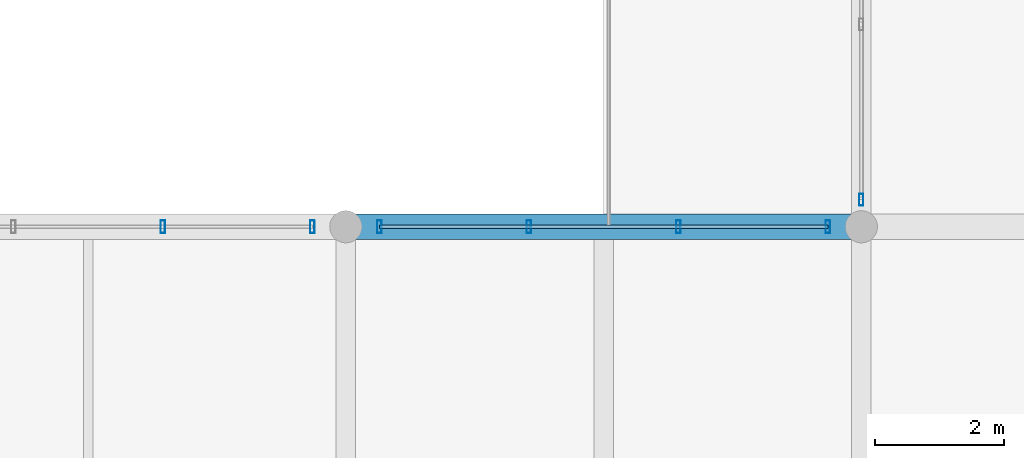
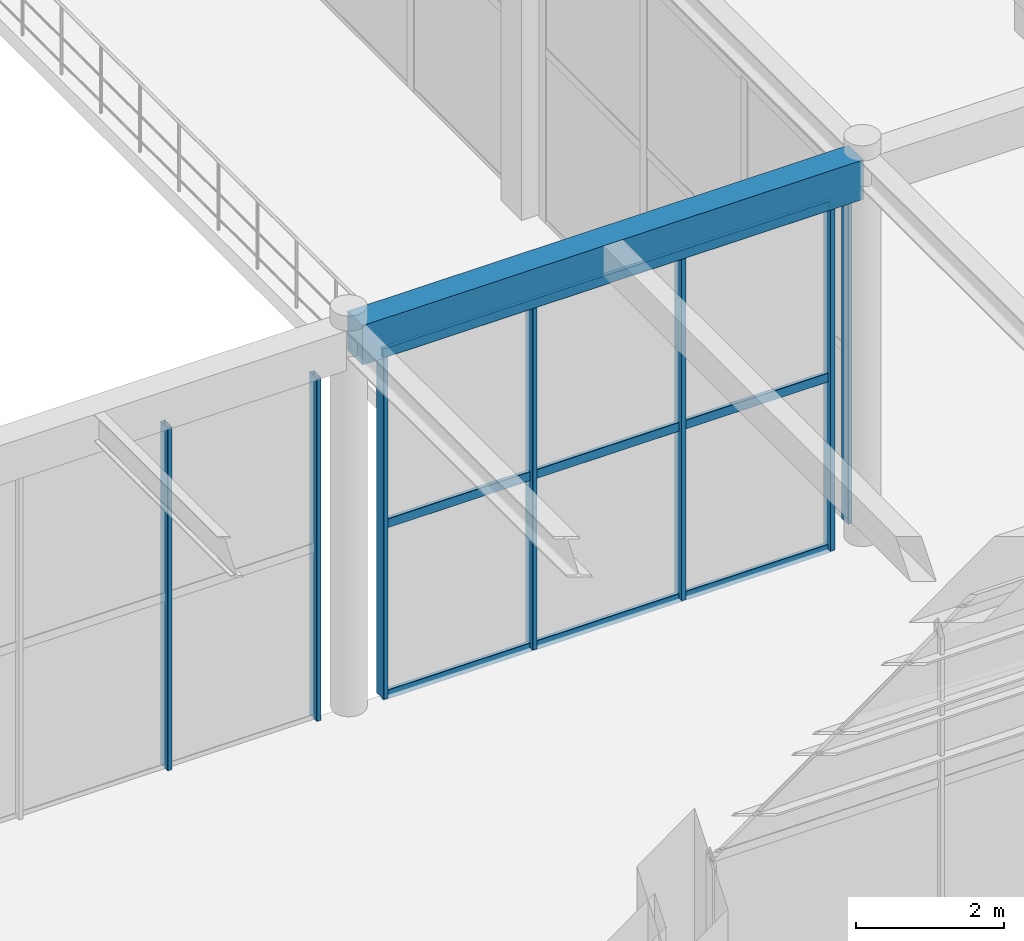
# One storey, part 81 of 163: 10 members, 1 beam, 3 elements without a shape of their own.
"""IFC4 building model written with IfcOpenShell, lengths in metres."""

import ifcopenshell
import ifcopenshell.guid

model = None  # the IFC model being written
_history = None  # IfcOwnerHistory: only IFC2X3 demands one
_inside = {}  # id of a spatial element -> (the spatial element, [elements in it])
_under = {}  # id of a project, library or spatial element -> (it, [spatial elements below it])
_declared = {}  # id of a project -> (the project, [libraries it declares])
_typed = {}  # id of a type object -> (the type object, [elements of that type])
_made_of = {}  # id of a material, layer set ... -> (it, [elements and type objects made of it])


def new_model(schema):
    """Start an empty IFC model of exactly this schema.

    Asked for "IFC4X3", IfcOpenShell would pick the latest addendum, in which some entities
    have other attributes; the version numbers below select the first issue.
    IFC2X3 requires an IfcOwnerHistory on every rooted entity: one is made here for all.
    """
    global model, _history
    if schema == "IFC4X3":
        model = ifcopenshell.file(schema_version=(4, 3, 0, 0))
    else:
        model = ifcopenshell.file(schema=schema)
    _inside.clear()
    _under.clear()
    _declared.clear()
    _typed.clear()
    _made_of.clear()
    _history = None
    if model.schema == "IFC2X3":
        org = make("IfcOrganization", Name="unknown")
        user = make(
            "IfcPersonAndOrganization",
            ThePerson=make("IfcPerson", FamilyName="unknown"),
            TheOrganization=org,
        )
        app = make(
            "IfcApplication",
            ApplicationDeveloper=org,
            Version="unknown",
            ApplicationFullName="unknown",
            ApplicationIdentifier="unknown",
        )
        _history = make(
            "IfcOwnerHistory",
            OwningUser=user,
            OwningApplication=app,
            ChangeAction="ADDED",
            CreationDate=0,
        )
    return model


def make(cls, **values):
    """One entity of the class cls with the attributes given. An attribute that is None is left unset."""
    return model.create_entity(
        cls, **{name: value for name, value in values.items() if value is not None}
    )


def rooted(cls, **values):
    """An entity with a GlobalId (a new one), such as an element, a storey or a relation."""
    return make(cls, GlobalId=ifcopenshell.guid.new(), OwnerHistory=_history, **values)


def si_unit(unit_type, name, prefix=None):
    """IfcSIUnit, for example si_unit("LENGTHUNIT", "METRE", prefix="MILLI")."""
    return make("IfcSIUnit", UnitType=unit_type, Prefix=prefix, Name=name)


def assignment(units):
    """IfcUnitAssignment: the units of a project."""
    return None if units is None else make("IfcUnitAssignment", Units=units)


def point(xyz):
    """IfcCartesianPoint."""
    return None if xyz is None else make("IfcCartesianPoint", Coordinates=xyz)


def direction(xyz):
    """IfcDirection."""
    return None if xyz is None else make("IfcDirection", DirectionRatios=xyz)


def frame(location, z_axis=None, x_axis=None):
    """IfcAxis2Placement3D, a coordinate frame: its origin and axes. An axis left out is left unset."""
    return make(
        "IfcAxis2Placement3D",
        Location=point(location),
        Axis=direction(z_axis),
        RefDirection=direction(x_axis),
    )


def frame_2d(location, x_axis=None):
    """IfcAxis2Placement2D, a coordinate frame in the plane: its origin and x axis."""
    return make(
        "IfcAxis2Placement2D", Location=point(location), RefDirection=direction(x_axis)
    )


def origin():
    """The frame at (0, 0, 0) with its axes left unset."""
    return frame((0.0, 0.0, 0.0))


def origin_2d():
    """The frame at (0, 0) in the plane with its x axis left unset."""
    return frame_2d((0.0, 0.0))


def place(relative_to, where):
    """IfcLocalPlacement: puts the frame where relative to a parent placement (None: the world)."""
    return make(
        "IfcLocalPlacement", PlacementRelTo=relative_to, RelativePlacement=where
    )


def context(
    kind, dimensions, precision=None, world=None, true_north=None, identifier=None
):
    """IfcGeometricRepresentationContext, for example the 3D "Model" context."""
    return make(
        "IfcGeometricRepresentationContext",
        ContextIdentifier=identifier,
        ContextType=kind,
        CoordinateSpaceDimension=dimensions,
        Precision=precision,
        WorldCoordinateSystem=world,
        TrueNorth=true_north,
    )


def subcontext(parent, identifier, kind, view, scale=None):
    """IfcGeometricRepresentationSubContext, for example "Body" below "Model"."""
    return make(
        "IfcGeometricRepresentationSubContext",
        ContextIdentifier=identifier,
        ContextType=kind,
        ParentContext=parent,
        TargetScale=scale,
        TargetView=view,
    )


def project(units=None, contexts=None):
    """IfcProject with its units and contexts."""
    return rooted(
        "IfcProject",
        Name="project",
        RepresentationContexts=contexts,
        UnitsInContext=assignment(units),
    )


def spatial(cls, under=None, at=None, **own):
    """A site, building, storey or space (cls), placed at a placement, below another one or the project."""
    s = rooted(cls, ObjectPlacement=at, **own)
    if under is not None:
        _under.setdefault(under.id(), (under, []))[1].append(s)
    return s


def profile(cls, at=None, kind="AREA", **sizes):
    """A parametric profile (cls). Its sizes go by their IFC names, for example OverallWidth=200.0."""
    return make(cls, ProfileType=kind, Position=at, **sizes)


def rectangle(**sizes):
    """IfcRectangleProfileDef."""
    return profile("IfcRectangleProfileDef", **sizes)


def hollow_rectangle(**sizes):
    """IfcRectangleHollowProfileDef."""
    return profile("IfcRectangleHollowProfileDef", **sizes)


def extrude(swept, where, along, depth):
    """IfcExtrudedAreaSolid: the profile swept, set in the frame where, extruded along a direction by depth."""
    return make(
        "IfcExtrudedAreaSolid",
        SweptArea=swept,
        Position=where,
        ExtrudedDirection=direction(along),
        Depth=depth,
    )


def shape(context_of_items, identifier, shape_type, items):
    """IfcShapeRepresentation: the items that make up one representation, for example the "Body"."""
    return make(
        "IfcShapeRepresentation",
        ContextOfItems=context_of_items,
        RepresentationIdentifier=identifier,
        RepresentationType=shape_type,
        Items=items,
    )


def material(Name=None, Category=None):
    """IfcMaterial."""
    return make("IfcMaterial", Name=Name, Category=Category)


def material_profile(
    of_material, cross_section, Name=None, Category=None, Priority=None
):
    """IfcMaterialProfile: a cross section and its material."""
    return make(
        "IfcMaterialProfile",
        Name=Name,
        Material=of_material,
        Profile=cross_section,
        Priority=Priority,
        Category=Category,
    )


def profile_set(profiles, Name=None, composite=None):
    """IfcMaterialProfileSet."""
    return make(
        "IfcMaterialProfileSet",
        Name=Name,
        MaterialProfiles=profiles,
        CompositeProfile=composite,
    )


def made_of(thing, what):
    """Note that an element or type object is made of a material, layer set ...; save() writes the relation."""
    if what is not None:
        _made_of.setdefault(what.id(), (what, []))[1].append(thing)
    return thing


def type_object(cls, material=None, **own):
    """A type object (cls), such as IfcWallType, which elements share."""
    return made_of(rooted(cls, **own), material)


def element(
    cls,
    number,
    at=None,
    inside=None,
    cuts=None,
    type_object=None,
    material=None,
    context=None,
    identifier="Body",
    shape_type=None,
    held_by="IfcProductDefinitionShape",
    body=None,
    shapes=None,
    **own,
):
    """One element of the class cls, such as IfcWall. Its Tag is "e" and its number.

    at: its placement. inside: the storey or other place that contains it. cuts: it is an
    opening in that element (IfcRelVoidsElement). A single representation is given by context,
    identifier, shape_type and body (its items); several are given by shapes. held_by: the class
    of the entity that holds the representations. save() writes the other relations.
    """
    e = rooted(cls, Tag="e%d" % number, ObjectPlacement=at, **own)
    if body is not None:
        shapes = [shape(context, identifier, shape_type, body)]
    if shapes is not None:
        e.Representation = make(held_by, Representations=shapes)
    if inside is not None:
        _inside.setdefault(inside.id(), (inside, []))[1].append(e)
    if cuts is not None:
        rooted(
            "IfcRelVoidsElement", RelatingBuildingElement=cuts, RelatedOpeningElement=e
        )
    if type_object is not None:
        _typed.setdefault(type_object.id(), (type_object, []))[1].append(e)
    return made_of(e, material)


def aggregate(whole, parts):
    """IfcRelAggregates: a whole, such as a stair, and the parts it consists of."""
    return rooted("IfcRelAggregates", RelatingObject=whole, RelatedObjects=parts)


def save(model, path):
    """Write the relations noted so far, then the file.

    IfcRelAggregates (storeys below a building ...), IfcRelContainedInSpatialStructure (elements
    in a storey), IfcRelDefinesByType, IfcRelAssociatesMaterial and IfcRelDeclares: one each for
    every whole, place, type object, material and project.
    """
    for whole, parts in _under.values():
        aggregate(whole, parts)
    for where, things in _inside.values():
        rooted(
            "IfcRelContainedInSpatialStructure",
            RelatedElements=things,
            RelatingStructure=where,
        )
    for kind, things in _typed.values():
        rooted("IfcRelDefinesByType", RelatedObjects=things, RelatingType=kind)
    for what, things in _made_of.values():
        rooted("IfcRelAssociatesMaterial", RelatedObjects=things, RelatingMaterial=what)
    for by, libraries in _declared.values():
        rooted("IfcRelDeclares", RelatingContext=by, RelatedDefinitions=libraries)
    model.write(path)


model = new_model("IFC4")

# Units and contexts
model_context = context("Model", 3, precision=1e-05, world=origin(), true_north=direction((0.0, 1.0)))
body_context = subcontext(model_context, "Body", "Model", "MODEL_VIEW")
ifc_project = project(units=[si_unit("LENGTHUNIT", "METRE"), si_unit("AREAUNIT", "SQUARE_METRE"), si_unit("VOLUMEUNIT", "CUBIC_METRE"), si_unit("PLANEANGLEUNIT", "RADIAN"), si_unit("MASSUNIT", "GRAM", prefix="KILO")], contexts=[model_context])

# Site, building, storey
site_placement = place(None, origin())
site = spatial("IfcSite", under=ifc_project, at=site_placement, CompositionType="ELEMENT")
building_placement = place(site_placement, origin())
building = spatial("IfcBuilding", under=site, at=building_placement, Name="Varnabhumi Central Station", CompositionType="ELEMENT")
storey_placement = place(building_placement, frame((0.0, 0.0, 9.60009765625)))
storey = spatial("IfcBuildingStorey", under=building, at=storey_placement, Name="L02", CompositionType="ELEMENT", Elevation=9.60009765625)

# Beam
ifc_material_1 = material(Name="Concrete M40", Category="concrete")
ifc_material_profile_1 = material_profile(ifc_material_1, rectangle(XDim=0.39990234375, YDim=0.64990234375, at=origin_2d()), Name="Concrete M40", Category="concrete")
ifc_profile_set_1 = profile_set([ifc_material_profile_1], Name="Concrete M40")
beam_type = type_object("IfcBeamType", Name="BM-RC-400x650", PredefinedType="BEAM", material=ifc_profile_set_1)
beam_placement = place(storey_placement, frame((72.10009765625, 89.0, 6.02490234375), z_axis=(1.0, 0.0, 0.0), x_axis=(0.0, 1.0, 0.0)))
element("IfcBeam", 1, at=beam_placement, inside=storey, type_object=beam_type, Name="Beam L02-L:10-11", PredefinedType="BEAM", context=body_context, shape_type="SweptSolid", body=[
    extrude(rectangle(XDim=0.39990234375, YDim=0.64990234375, at=origin_2d()), origin(), (0.0, 0.0, 1.0), 7.7998046875),
])

# Curtain wall, member
ifc_material_2 = material(Name="Anodised aluminium 6063-T6", Category="aluminium")
curtain_wall_type = type_object("IfcCurtainWallType", Name="CW-PATIO-LOGGIA-L2", PredefinedType="NOTDEFINED", material=ifc_material_2)
curtain_wall_1_placement = place(storey_placement, origin())
curtain_wall_1 = element("IfcCurtainWall", 2, at=curtain_wall_1_placement, inside=storey, type_object=curtain_wall_type, Name="Curtain Wall CW-NP2W1", PredefinedType="NOTDEFINED")
ifc_material_profile_2 = material_profile(ifc_material_2, hollow_rectangle(XDim=0.06494140625, YDim=0.179931640625, WallThickness=0.00390625, InnerFilletRadius=0.001953125, OuterFilletRadius=0.006103515625, at=origin_2d()), Name="Anodised aluminium 6063-T6", Category="aluminium")
ifc_profile_set_2 = profile_set([ifc_material_profile_2], Name="Anodised aluminium 6063-T6")
member_type_1 = type_object("IfcMemberType", Name="CW-MUL-180", PredefinedType="MULLION", material=ifc_profile_set_2)
member_1_placement = place(storey_placement, frame((80.0, 89.419921875, 0.0), z_axis=(0.0, 0.0, 1.0), x_axis=(1.0, 0.0, 0.0)))
member_1 = element("IfcMember", 3, at=member_1_placement, type_object=member_type_1, Name="Curtain Wall Mullion CW-NP2W1-M1", PredefinedType="MULLION", context=body_context, shape_type="SweptSolid", body=[
    extrude(hollow_rectangle(XDim=0.06494140625, YDim=0.179931640625, WallThickness=0.00390625, InnerFilletRadius=0.001953125, OuterFilletRadius=0.006103515625, at=origin_2d()), origin(), (0.0, 0.0, 1.0), 5.639892578125),
])
aggregate(curtain_wall_1, [member_1])

# Curtain wall, members
curtain_wall_2_placement = place(storey_placement, origin())
curtain_wall_2 = element("IfcCurtainWall", 4, at=curtain_wall_2_placement, inside=storey, type_object=curtain_wall_type, Name="Curtain Wall CW-NP2S3", PredefinedType="NOTDEFINED")
ifc_material_profile_3 = material_profile(ifc_material_2, hollow_rectangle(XDim=0.070068359375, YDim=0.199951171875, WallThickness=0.00439453125, InnerFilletRadius=0.00146484375, OuterFilletRadius=0.006103515625, at=origin_2d()), Name="Anodised aluminium 6063-T6", Category="aluminium")
ifc_profile_set_3 = profile_set([ifc_material_profile_3], Name="Anodised aluminium 6063-T6")
member_type_2 = type_object("IfcMemberType", Name="CW-MUL-200", PredefinedType="MULLION", material=ifc_profile_set_3)
member_2_placement = place(storey_placement, frame((69.159912109375, 89.0, 0.0), z_axis=(0.0, 0.0, 1.0), x_axis=(1.0, 0.0, 0.0)))
member_2 = element("IfcMember", 5, at=member_2_placement, type_object=member_type_2, Name="Curtain Wall Mullion CW-NP2S3-M3", PredefinedType="MULLION", context=body_context, shape_type="SweptSolid", body=[
    extrude(hollow_rectangle(XDim=0.070068359375, YDim=0.199951171875, WallThickness=0.00439453125, InnerFilletRadius=0.00146484375, OuterFilletRadius=0.006103515625, at=origin_2d()), origin(), (0.0, 0.0, 1.0), 5.639892578125),
])
member_3_placement = place(storey_placement, frame((71.47998046875, 89.0, 0.0), z_axis=(0.0, 0.0, 1.0), x_axis=(1.0, 0.0, 0.0)))
member_3 = element("IfcMember", 6, at=member_3_placement, type_object=member_type_2, Name="Curtain Wall Mullion CW-NP2S3-M4", PredefinedType="MULLION", context=body_context, shape_type="SweptSolid", body=[
    extrude(hollow_rectangle(XDim=0.070068359375, YDim=0.199951171875, WallThickness=0.00439453125, InnerFilletRadius=0.00146484375, OuterFilletRadius=0.006103515625, at=origin_2d()), origin(), (0.0, 0.0, 1.0), 5.639892578125),
])
aggregate(curtain_wall_2, [member_2, member_3])

curtain_wall_3_placement = place(storey_placement, origin())
curtain_wall_3 = element("IfcCurtainWall", 7, at=curtain_wall_3_placement, inside=storey, type_object=curtain_wall_type, Name="Curtain Wall CW-NP2S4", PredefinedType="NOTDEFINED")
member_4_placement = place(storey_placement, frame((72.52001953125, 89.0, 0.0), z_axis=(0.0, 0.0, 1.0), x_axis=(1.0, 0.0, 0.0)))
member_4 = element("IfcMember", 8, at=member_4_placement, type_object=member_type_2, Name="Curtain Wall Mullion CW-NP2S4-M1", PredefinedType="MULLION", context=body_context, shape_type="SweptSolid", body=[
    extrude(hollow_rectangle(XDim=0.070068359375, YDim=0.199951171875, WallThickness=0.00439453125, InnerFilletRadius=0.00146484375, OuterFilletRadius=0.006103515625, at=origin_2d()), origin(), (0.0, 0.0, 1.0), 5.639892578125),
])
member_5_placement = place(storey_placement, frame((74.840087890625, 89.0, 0.0), z_axis=(0.0, 0.0, 1.0), x_axis=(1.0, 0.0, 0.0)))
member_5 = element("IfcMember", 9, at=member_5_placement, type_object=member_type_2, Name="Curtain Wall Mullion CW-NP2S4-M2", PredefinedType="MULLION", context=body_context, shape_type="SweptSolid", body=[
    extrude(hollow_rectangle(XDim=0.070068359375, YDim=0.199951171875, WallThickness=0.00439453125, InnerFilletRadius=0.00146484375, OuterFilletRadius=0.006103515625, at=origin_2d()), origin(), (0.0, 0.0, 1.0), 5.639892578125),
])
member_6_placement = place(storey_placement, frame((77.159912109375, 89.0, 0.0), z_axis=(0.0, 0.0, 1.0), x_axis=(1.0, 0.0, 0.0)))
member_6 = element("IfcMember", 10, at=member_6_placement, type_object=member_type_2, Name="Curtain Wall Mullion CW-NP2S4-M3", PredefinedType="MULLION", context=body_context, shape_type="SweptSolid", body=[
    extrude(hollow_rectangle(XDim=0.070068359375, YDim=0.199951171875, WallThickness=0.00439453125, InnerFilletRadius=0.00146484375, OuterFilletRadius=0.006103515625, at=origin_2d()), origin(), (0.0, 0.0, 1.0), 5.639892578125),
])
member_7_placement = place(storey_placement, frame((79.47998046875, 89.0, 0.0), z_axis=(0.0, 0.0, 1.0), x_axis=(1.0, 0.0, 0.0)))
member_7 = element("IfcMember", 11, at=member_7_placement, type_object=member_type_2, Name="Curtain Wall Mullion CW-NP2S4-M4", PredefinedType="MULLION", context=body_context, shape_type="SweptSolid", body=[
    extrude(hollow_rectangle(XDim=0.070068359375, YDim=0.199951171875, WallThickness=0.00439453125, InnerFilletRadius=0.00146484375, OuterFilletRadius=0.006103515625, at=origin_2d()), origin(), (0.0, 0.0, 1.0), 5.639892578125),
])
ifc_material_profile_4 = material_profile(ifc_material_2, hollow_rectangle(XDim=0.06005859375, YDim=0.14990234375, WallThickness=0.00390625, InnerFilletRadius=0.001953125, OuterFilletRadius=0.006103515625, at=origin_2d()), Name="Anodised aluminium 6063-T6", Category="aluminium")
ifc_profile_set_4 = profile_set([ifc_material_profile_4], Name="Anodised aluminium 6063-T6")
member_type_3 = type_object("IfcMemberType", Name="CW-TR-150", PredefinedType="USERDEFINED", material=ifc_profile_set_4)
member_8_placement = place(storey_placement, frame((72.52001953125, 89.0, 0.0), z_axis=(1.0, 0.0, 0.0), x_axis=(0.0, 1.0, 0.0)))
member_8 = element("IfcMember", 12, at=member_8_placement, type_object=member_type_3, Name="Curtain Wall Transom CW-NP2S4-T1", ObjectType="TRANSOM", PredefinedType="USERDEFINED", context=body_context, shape_type="SweptSolid", body=[
    extrude(hollow_rectangle(XDim=0.06005859375, YDim=0.14990234375, WallThickness=0.00390625, InnerFilletRadius=0.001953125, OuterFilletRadius=0.006103515625, at=origin_2d()), origin(), (0.0, 0.0, 1.0), 6.9599609375),
])
member_9_placement = place(storey_placement, frame((72.52001953125, 89.0, 2.81982421875), z_axis=(1.0, 0.0, 0.0), x_axis=(0.0, 1.0, 0.0)))
member_9 = element("IfcMember", 13, at=member_9_placement, type_object=member_type_3, Name="Curtain Wall Transom CW-NP2S4-T2", ObjectType="TRANSOM", PredefinedType="USERDEFINED", context=body_context, shape_type="SweptSolid", body=[
    extrude(hollow_rectangle(XDim=0.06005859375, YDim=0.14990234375, WallThickness=0.00390625, InnerFilletRadius=0.001953125, OuterFilletRadius=0.006103515625, at=origin_2d()), origin(), (0.0, 0.0, 1.0), 6.9599609375),
])
member_10_placement = place(storey_placement, frame((72.52001953125, 89.0, 5.639892578125), z_axis=(1.0, 0.0, 0.0), x_axis=(0.0, 1.0, 0.0)))
member_10 = element("IfcMember", 14, at=member_10_placement, type_object=member_type_3, Name="Curtain Wall Transom CW-NP2S4-T3", ObjectType="TRANSOM", PredefinedType="USERDEFINED", context=body_context, shape_type="SweptSolid", body=[
    extrude(hollow_rectangle(XDim=0.06005859375, YDim=0.14990234375, WallThickness=0.00390625, InnerFilletRadius=0.001953125, OuterFilletRadius=0.006103515625, at=origin_2d()), origin(), (0.0, 0.0, 1.0), 6.9599609375),
])
aggregate(curtain_wall_3, [member_4, member_5, member_6, member_7, member_8, member_9, member_10])

save(model, "model.ifc")
